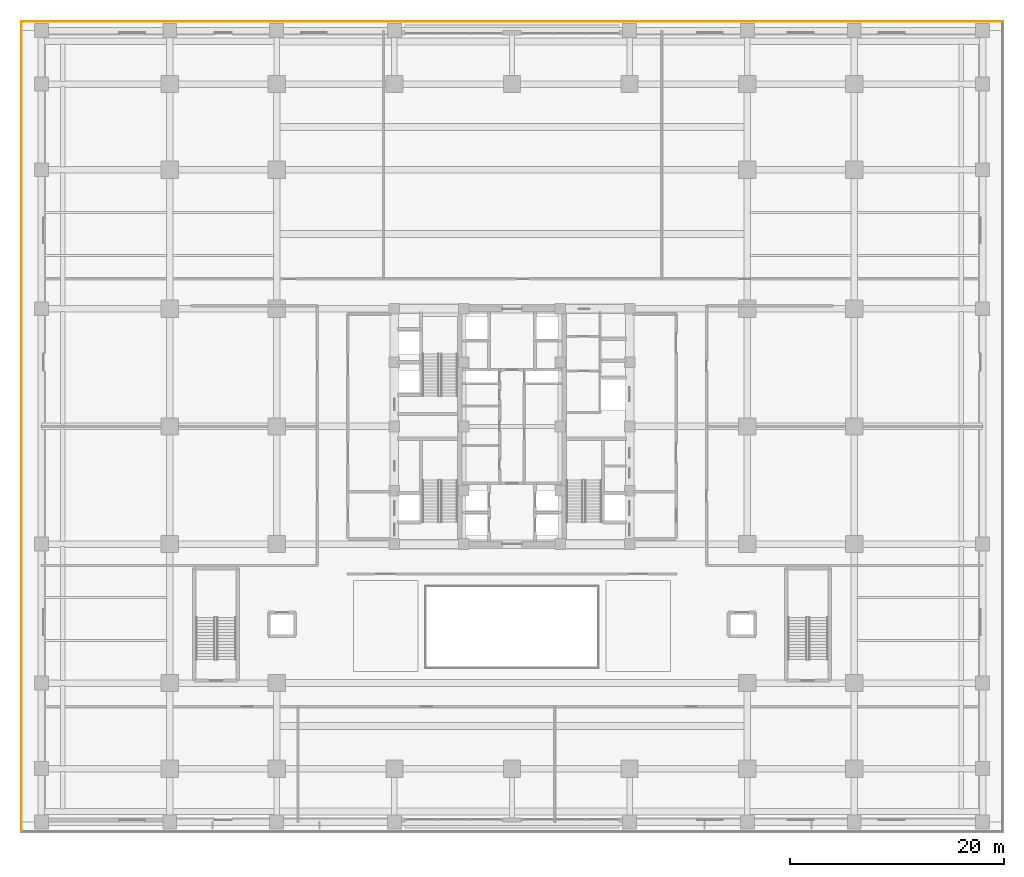
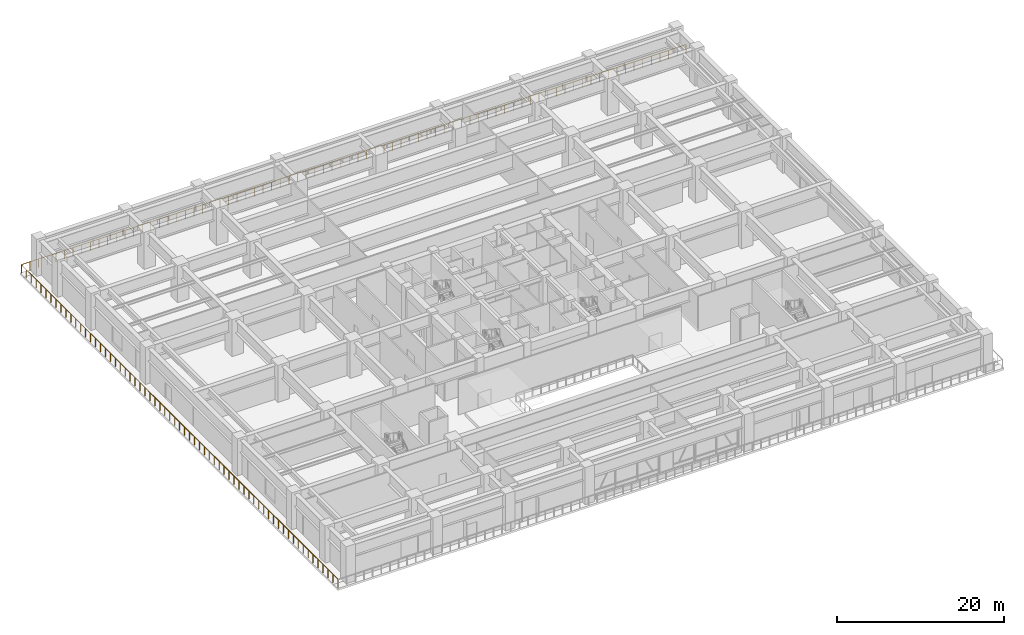
# One storey, part 25 of 28: 1 railing.
"""IFC4 building model written with IfcOpenShell, lengths in metres."""

from ifc_helpers import new_model, si_unit, direction, frame, origin, origin_2d, place, context, subcontext, project, spatial, circle, extrude, source, transform, mapped, material, type_object, element, save


model = new_model("IFC4")

# Units and contexts
model_context = context("Model", 3, precision=1e-05, world=origin(), true_north=direction((0.0, 1.0)))
body_context = subcontext(model_context, "Body", "Model", "MODEL_VIEW")
ifc_project = project(units=[si_unit("LENGTHUNIT", "METRE"), si_unit("AREAUNIT", "SQUARE_METRE"), si_unit("VOLUMEUNIT", "CUBIC_METRE"), si_unit("PLANEANGLEUNIT", "RADIAN"), si_unit("MASSUNIT", "GRAM", prefix="KILO")], contexts=[model_context])

# Site, building, storey
site_placement = place(None, origin())
site = spatial("IfcSite", under=ifc_project, at=site_placement, CompositionType="ELEMENT")
building_placement = place(site_placement, origin())
building = spatial("IfcBuilding", under=site, at=building_placement, Name="Khorayat Bourse Tower", CompositionType="ELEMENT")
storey_placement = place(building_placement, frame((0.0, 0.0, 6.60009765625)))
storey = spatial("IfcBuildingStorey", under=building, at=storey_placement, Name="L01", CompositionType="ELEMENT", Elevation=6.60009765625)

# Railing
ifc_material = material(Name="Laminated glass and bronze balustrade", Category="glass")
railing_type = type_object("IfcRailingType", Name="RLG-TERR-1250", PredefinedType="GUARDRAIL", material=ifc_material)
shared_shape = source(origin(), body_context, "Body", "SweptSolid", [
    extrude(circle(Radius=0.02392578125, at=origin_2d()), frame((0.0, 0.0, 1.22607421875), z_axis=(-1.0, 0.0, 0.0), x_axis=(0.0, -1.0, 0.0)), (0.0, 0.0, 1.0), 91.759765625),
    extrude(circle(Radius=0.02392578125, at=origin_2d()), frame((-91.759765625, 0.0, 1.22607421875), z_axis=(0.0, -1.0, 0.0), x_axis=(1.0, 0.0, 0.0)), (0.0, 0.0, 1.0), 75.699951171875),
    extrude(circle(Radius=0.02099609375, at=origin_2d()), origin(), (0.0, 0.0, 1.0), 1.201904296875),
    extrude(circle(Radius=0.02099609375, at=origin_2d()), frame((-1.191650390625, 0.0, 0.0)), (0.0, 0.0, 1.0), 1.201904296875),
    extrude(circle(Radius=0.02099609375, at=origin_2d()), frame((-2.38330078125, 0.0, 0.0)), (0.0, 0.0, 1.0), 1.201904296875),
    extrude(circle(Radius=0.02099609375, at=origin_2d()), frame((-3.574951171875, 0.0, 0.0)), (0.0, 0.0, 1.0), 1.201904296875),
    extrude(circle(Radius=0.02099609375, at=origin_2d()), frame((-4.766845703125, 0.0, 0.0)), (0.0, 0.0, 1.0), 1.201904296875),
    extrude(circle(Radius=0.02099609375, at=origin_2d()), frame((-5.95849609375, 0.0, 0.0)), (0.0, 0.0, 1.0), 1.201904296875),
    extrude(circle(Radius=0.02099609375, at=origin_2d()), frame((-7.150146484375, 0.0, 0.0)), (0.0, 0.0, 1.0), 1.201904296875),
    extrude(circle(Radius=0.02099609375, at=origin_2d()), frame((-8.341796875, 0.0, 0.0)), (0.0, 0.0, 1.0), 1.201904296875),
    extrude(circle(Radius=0.02099609375, at=origin_2d()), frame((-9.533447265625, 0.0, 0.0)), (0.0, 0.0, 1.0), 1.201904296875),
    extrude(circle(Radius=0.02099609375, at=origin_2d()), frame((-10.72509765625, 0.0, 0.0)), (0.0, 0.0, 1.0), 1.201904296875),
    extrude(circle(Radius=0.02099609375, at=origin_2d()), frame((-11.916748046875, 0.0, 0.0)), (0.0, 0.0, 1.0), 1.201904296875),
    extrude(circle(Radius=0.02099609375, at=origin_2d()), frame((-13.108642578125, 0.0, 0.0)), (0.0, 0.0, 1.0), 1.201904296875),
    extrude(circle(Radius=0.02099609375, at=origin_2d()), frame((-14.30029296875, 0.0, 0.0)), (0.0, 0.0, 1.0), 1.201904296875),
    extrude(circle(Radius=0.02099609375, at=origin_2d()), frame((-15.491943359375, 0.0, 0.0)), (0.0, 0.0, 1.0), 1.201904296875),
    extrude(circle(Radius=0.02099609375, at=origin_2d()), frame((-16.68359375, 0.0, 0.0)), (0.0, 0.0, 1.0), 1.201904296875),
    extrude(circle(Radius=0.02099609375, at=origin_2d()), frame((-17.875244140625, 0.0, 0.0)), (0.0, 0.0, 1.0), 1.201904296875),
    extrude(circle(Radius=0.02099609375, at=origin_2d()), frame((-19.06689453125, 0.0, 0.0)), (0.0, 0.0, 1.0), 1.201904296875),
    extrude(circle(Radius=0.02099609375, at=origin_2d()), frame((-20.258544921875, 0.0, 0.0)), (0.0, 0.0, 1.0), 1.201904296875),
    extrude(circle(Radius=0.02099609375, at=origin_2d()), frame((-21.450439453125, 0.0, 0.0)), (0.0, 0.0, 1.0), 1.201904296875),
    extrude(circle(Radius=0.02099609375, at=origin_2d()), frame((-22.64208984375, 0.0, 0.0)), (0.0, 0.0, 1.0), 1.201904296875),
    extrude(circle(Radius=0.02099609375, at=origin_2d()), frame((-23.833740234375, 0.0, 0.0)), (0.0, 0.0, 1.0), 1.201904296875),
    extrude(circle(Radius=0.02099609375, at=origin_2d()), frame((-25.025390625, 0.0, 0.0)), (0.0, 0.0, 1.0), 1.201904296875),
    extrude(circle(Radius=0.02099609375, at=origin_2d()), frame((-26.217041015625, 0.0, 0.0)), (0.0, 0.0, 1.0), 1.201904296875),
    extrude(circle(Radius=0.02099609375, at=origin_2d()), frame((-27.40869140625, 0.0, 0.0)), (0.0, 0.0, 1.0), 1.201904296875),
    extrude(circle(Radius=0.02099609375, at=origin_2d()), frame((-28.600341796875, 0.0, 0.0)), (0.0, 0.0, 1.0), 1.201904296875),
    extrude(circle(Radius=0.02099609375, at=origin_2d()), frame((-29.792236328125, 0.0, 0.0)), (0.0, 0.0, 1.0), 1.201904296875),
    extrude(circle(Radius=0.02099609375, at=origin_2d()), frame((-30.98388671875, 0.0, 0.0)), (0.0, 0.0, 1.0), 1.201904296875),
    extrude(circle(Radius=0.02099609375, at=origin_2d()), frame((-32.175537109375, 0.0, 0.0)), (0.0, 0.0, 1.0), 1.201904296875),
    extrude(circle(Radius=0.02099609375, at=origin_2d()), frame((-33.3671875, 0.0, 0.0)), (0.0, 0.0, 1.0), 1.201904296875),
    extrude(circle(Radius=0.02099609375, at=origin_2d()), frame((-34.558837890625, 0.0, 0.0)), (0.0, 0.0, 1.0), 1.201904296875),
    extrude(circle(Radius=0.02099609375, at=origin_2d()), frame((-35.75048828125, 0.0, 0.0)), (0.0, 0.0, 1.0), 1.201904296875),
    extrude(circle(Radius=0.02099609375, at=origin_2d()), frame((-36.942138671875, 0.0, 0.0)), (0.0, 0.0, 1.0), 1.201904296875),
    extrude(circle(Radius=0.02099609375, at=origin_2d()), frame((-38.134033203125, 0.0, 0.0)), (0.0, 0.0, 1.0), 1.201904296875),
    extrude(circle(Radius=0.02099609375, at=origin_2d()), frame((-39.32568359375, 0.0, 0.0)), (0.0, 0.0, 1.0), 1.201904296875),
    extrude(circle(Radius=0.02099609375, at=origin_2d()), frame((-40.517333984375, 0.0, 0.0)), (0.0, 0.0, 1.0), 1.201904296875),
    extrude(circle(Radius=0.02099609375, at=origin_2d()), frame((-41.708984375, 0.0, 0.0)), (0.0, 0.0, 1.0), 1.201904296875),
    extrude(circle(Radius=0.02099609375, at=origin_2d()), frame((-42.900634765625, 0.0, 0.0)), (0.0, 0.0, 1.0), 1.201904296875),
    extrude(circle(Radius=0.02099609375, at=origin_2d()), frame((-44.09228515625, 0.0, 0.0)), (0.0, 0.0, 1.0), 1.201904296875),
    extrude(circle(Radius=0.02099609375, at=origin_2d()), frame((-45.283935546875, 0.0, 0.0)), (0.0, 0.0, 1.0), 1.201904296875),
    extrude(circle(Radius=0.02099609375, at=origin_2d()), frame((-46.475830078125, 0.0, 0.0)), (0.0, 0.0, 1.0), 1.201904296875),
    extrude(circle(Radius=0.02099609375, at=origin_2d()), frame((-47.66748046875, 0.0, 0.0)), (0.0, 0.0, 1.0), 1.201904296875),
    extrude(circle(Radius=0.02099609375, at=origin_2d()), frame((-48.859130859375, 0.0, 0.0)), (0.0, 0.0, 1.0), 1.201904296875),
    extrude(circle(Radius=0.02099609375, at=origin_2d()), frame((-50.05078125, 0.0, 0.0)), (0.0, 0.0, 1.0), 1.201904296875),
    extrude(circle(Radius=0.02099609375, at=origin_2d()), frame((-51.242431640625, 0.0, 0.0)), (0.0, 0.0, 1.0), 1.201904296875),
    extrude(circle(Radius=0.02099609375, at=origin_2d()), frame((-52.43408203125, 0.0, 0.0)), (0.0, 0.0, 1.0), 1.201904296875),
    extrude(circle(Radius=0.02099609375, at=origin_2d()), frame((-53.625732421875, 0.0, 0.0)), (0.0, 0.0, 1.0), 1.201904296875),
    extrude(circle(Radius=0.02099609375, at=origin_2d()), frame((-54.817626953125, 0.0, 0.0)), (0.0, 0.0, 1.0), 1.201904296875),
    extrude(circle(Radius=0.02099609375, at=origin_2d()), frame((-56.00927734375, 0.0, 0.0)), (0.0, 0.0, 1.0), 1.201904296875),
    extrude(circle(Radius=0.02099609375, at=origin_2d()), frame((-57.200927734375, 0.0, 0.0)), (0.0, 0.0, 1.0), 1.201904296875),
    extrude(circle(Radius=0.02099609375, at=origin_2d()), frame((-58.392578125, 0.0, 0.0)), (0.0, 0.0, 1.0), 1.201904296875),
    extrude(circle(Radius=0.02099609375, at=origin_2d()), frame((-59.584228515625, 0.0, 0.0)), (0.0, 0.0, 1.0), 1.201904296875),
    extrude(circle(Radius=0.02099609375, at=origin_2d()), frame((-60.77587890625, 0.0, 0.0)), (0.0, 0.0, 1.0), 1.201904296875),
    extrude(circle(Radius=0.02099609375, at=origin_2d()), frame((-61.967529296875, 0.0, 0.0)), (0.0, 0.0, 1.0), 1.201904296875),
    extrude(circle(Radius=0.02099609375, at=origin_2d()), frame((-63.159423828125, 0.0, 0.0)), (0.0, 0.0, 1.0), 1.201904296875),
    extrude(circle(Radius=0.02099609375, at=origin_2d()), frame((-64.35107421875, 0.0, 0.0)), (0.0, 0.0, 1.0), 1.201904296875),
    extrude(circle(Radius=0.02099609375, at=origin_2d()), frame((-65.542724609375, 0.0, 0.0)), (0.0, 0.0, 1.0), 1.201904296875),
    extrude(circle(Radius=0.02099609375, at=origin_2d()), frame((-66.734375, 0.0, 0.0)), (0.0, 0.0, 1.0), 1.201904296875),
    extrude(circle(Radius=0.02099609375, at=origin_2d()), frame((-67.926025390625, 0.0, 0.0)), (0.0, 0.0, 1.0), 1.201904296875),
    extrude(circle(Radius=0.02099609375, at=origin_2d()), frame((-69.11767578125, 0.0, 0.0)), (0.0, 0.0, 1.0), 1.201904296875),
    extrude(circle(Radius=0.02099609375, at=origin_2d()), frame((-70.309326171875, 0.0, 0.0)), (0.0, 0.0, 1.0), 1.201904296875),
    extrude(circle(Radius=0.02099609375, at=origin_2d()), frame((-71.501220703125, 0.0, 0.0)), (0.0, 0.0, 1.0), 1.201904296875),
    extrude(circle(Radius=0.02099609375, at=origin_2d()), frame((-72.69287109375, 0.0, 0.0)), (0.0, 0.0, 1.0), 1.201904296875),
    extrude(circle(Radius=0.02099609375, at=origin_2d()), frame((-73.884521484375, 0.0, 0.0)), (0.0, 0.0, 1.0), 1.201904296875),
    extrude(circle(Radius=0.02099609375, at=origin_2d()), frame((-75.076171875, 0.0, 0.0)), (0.0, 0.0, 1.0), 1.201904296875),
    extrude(circle(Radius=0.02099609375, at=origin_2d()), frame((-76.267822265625, 0.0, 0.0)), (0.0, 0.0, 1.0), 1.201904296875),
    extrude(circle(Radius=0.02099609375, at=origin_2d()), frame((-77.45947265625, 0.0, 0.0)), (0.0, 0.0, 1.0), 1.201904296875),
    extrude(circle(Radius=0.02099609375, at=origin_2d()), frame((-78.651123046875, 0.0, 0.0)), (0.0, 0.0, 1.0), 1.201904296875),
    extrude(circle(Radius=0.02099609375, at=origin_2d()), frame((-79.843017578125, 0.0, 0.0)), (0.0, 0.0, 1.0), 1.201904296875),
    extrude(circle(Radius=0.02099609375, at=origin_2d()), frame((-81.03466796875, 0.0, 0.0)), (0.0, 0.0, 1.0), 1.201904296875),
    extrude(circle(Radius=0.02099609375, at=origin_2d()), frame((-82.226318359375, 0.0, 0.0)), (0.0, 0.0, 1.0), 1.201904296875),
    extrude(circle(Radius=0.02099609375, at=origin_2d()), frame((-83.41796875, 0.0, 0.0)), (0.0, 0.0, 1.0), 1.201904296875),
    extrude(circle(Radius=0.02099609375, at=origin_2d()), frame((-84.609619140625, 0.0, 0.0)), (0.0, 0.0, 1.0), 1.201904296875),
    extrude(circle(Radius=0.02099609375, at=origin_2d()), frame((-85.80126953125, 0.0, 0.0)), (0.0, 0.0, 1.0), 1.201904296875),
    extrude(circle(Radius=0.02099609375, at=origin_2d()), frame((-86.992919921875, 0.0, 0.0)), (0.0, 0.0, 1.0), 1.201904296875),
    extrude(circle(Radius=0.02099609375, at=origin_2d()), frame((-88.184814453125, 0.0, 0.0)), (0.0, 0.0, 1.0), 1.201904296875),
    extrude(circle(Radius=0.02099609375, at=origin_2d()), frame((-89.37646484375, 0.0, 0.0)), (0.0, 0.0, 1.0), 1.201904296875),
    extrude(circle(Radius=0.02099609375, at=origin_2d()), frame((-90.568115234375, 0.0, 0.0)), (0.0, 0.0, 1.0), 1.201904296875),
    extrude(circle(Radius=0.02099609375, at=origin_2d()), frame((-91.759765625, 0.0, 0.0)), (0.0, 0.0, 1.0), 1.201904296875),
    extrude(circle(Radius=0.02099609375, at=origin_2d()), frame((-91.759765625, -1.182861328125, 0.0)), (0.0, 0.0, 1.0), 1.201904296875),
    extrude(circle(Radius=0.02099609375, at=origin_2d()), frame((-91.759765625, -2.36572265625, 0.0)), (0.0, 0.0, 1.0), 1.201904296875),
    extrude(circle(Radius=0.02099609375, at=origin_2d()), frame((-91.759765625, -3.54833984375, 0.0)), (0.0, 0.0, 1.0), 1.201904296875),
    extrude(circle(Radius=0.02099609375, at=origin_2d()), frame((-91.759765625, -4.731201171875, 0.0)), (0.0, 0.0, 1.0), 1.201904296875),
    extrude(circle(Radius=0.02099609375, at=origin_2d()), frame((-91.759765625, -5.9140625, 0.0)), (0.0, 0.0, 1.0), 1.201904296875),
    extrude(circle(Radius=0.02099609375, at=origin_2d()), frame((-91.759765625, -7.096923828125, 0.0)), (0.0, 0.0, 1.0), 1.201904296875),
    extrude(circle(Radius=0.02099609375, at=origin_2d()), frame((-91.759765625, -8.27978515625, 0.0)), (0.0, 0.0, 1.0), 1.201904296875),
    extrude(circle(Radius=0.02099609375, at=origin_2d()), frame((-91.759765625, -9.46240234375, 0.0)), (0.0, 0.0, 1.0), 1.201904296875),
    extrude(circle(Radius=0.02099609375, at=origin_2d()), frame((-91.759765625, -10.645263671875, 0.0)), (0.0, 0.0, 1.0), 1.201904296875),
    extrude(circle(Radius=0.02099609375, at=origin_2d()), frame((-91.759765625, -11.828125, 0.0)), (0.0, 0.0, 1.0), 1.201904296875),
    extrude(circle(Radius=0.02099609375, at=origin_2d()), frame((-91.759765625, -13.010986328125, 0.0)), (0.0, 0.0, 1.0), 1.201904296875),
    extrude(circle(Radius=0.02099609375, at=origin_2d()), frame((-91.759765625, -14.19384765625, 0.0)), (0.0, 0.0, 1.0), 1.201904296875),
    extrude(circle(Radius=0.02099609375, at=origin_2d()), frame((-91.759765625, -15.37646484375, 0.0)), (0.0, 0.0, 1.0), 1.201904296875),
    extrude(circle(Radius=0.02099609375, at=origin_2d()), frame((-91.759765625, -16.559326171875, 0.0)), (0.0, 0.0, 1.0), 1.201904296875),
    extrude(circle(Radius=0.02099609375, at=origin_2d()), frame((-91.759765625, -17.7421875, 0.0)), (0.0, 0.0, 1.0), 1.201904296875),
    extrude(circle(Radius=0.02099609375, at=origin_2d()), frame((-91.759765625, -18.925048828125, 0.0)), (0.0, 0.0, 1.0), 1.201904296875),
    extrude(circle(Radius=0.02099609375, at=origin_2d()), frame((-91.759765625, -20.10791015625, 0.0)), (0.0, 0.0, 1.0), 1.201904296875),
    extrude(circle(Radius=0.02099609375, at=origin_2d()), frame((-91.759765625, -21.29052734375, 0.0)), (0.0, 0.0, 1.0), 1.201904296875),
    extrude(circle(Radius=0.02099609375, at=origin_2d()), frame((-91.759765625, -22.473388671875, 0.0)), (0.0, 0.0, 1.0), 1.201904296875),
    extrude(circle(Radius=0.02099609375, at=origin_2d()), frame((-91.759765625, -23.65625, 0.0)), (0.0, 0.0, 1.0), 1.201904296875),
    extrude(circle(Radius=0.02099609375, at=origin_2d()), frame((-91.759765625, -24.839111328125, 0.0)), (0.0, 0.0, 1.0), 1.201904296875),
    extrude(circle(Radius=0.02099609375, at=origin_2d()), frame((-91.759765625, -26.02197265625, 0.0)), (0.0, 0.0, 1.0), 1.201904296875),
    extrude(circle(Radius=0.02099609375, at=origin_2d()), frame((-91.759765625, -27.20458984375, 0.0)), (0.0, 0.0, 1.0), 1.201904296875),
    extrude(circle(Radius=0.02099609375, at=origin_2d()), frame((-91.759765625, -28.387451171875, 0.0)), (0.0, 0.0, 1.0), 1.201904296875),
    extrude(circle(Radius=0.02099609375, at=origin_2d()), frame((-91.759765625, -29.5703125, 0.0)), (0.0, 0.0, 1.0), 1.201904296875),
    extrude(circle(Radius=0.02099609375, at=origin_2d()), frame((-91.759765625, -30.753173828125, 0.0)), (0.0, 0.0, 1.0), 1.201904296875),
    extrude(circle(Radius=0.02099609375, at=origin_2d()), frame((-91.759765625, -31.93603515625, 0.0)), (0.0, 0.0, 1.0), 1.201904296875),
    extrude(circle(Radius=0.02099609375, at=origin_2d()), frame((-91.759765625, -33.11865234375, 0.0)), (0.0, 0.0, 1.0), 1.201904296875),
    extrude(circle(Radius=0.02099609375, at=origin_2d()), frame((-91.759765625, -34.301513671875, 0.0)), (0.0, 0.0, 1.0), 1.201904296875),
    extrude(circle(Radius=0.02099609375, at=origin_2d()), frame((-91.759765625, -35.484375, 0.0)), (0.0, 0.0, 1.0), 1.201904296875),
    extrude(circle(Radius=0.02099609375, at=origin_2d()), frame((-91.759765625, -36.667236328125, 0.0)), (0.0, 0.0, 1.0), 1.201904296875),
    extrude(circle(Radius=0.02099609375, at=origin_2d()), frame((-91.759765625, -37.85009765625, 0.0)), (0.0, 0.0, 1.0), 1.201904296875),
    extrude(circle(Radius=0.02099609375, at=origin_2d()), frame((-91.759765625, -39.03271484375, 0.0)), (0.0, 0.0, 1.0), 1.201904296875),
    extrude(circle(Radius=0.02099609375, at=origin_2d()), frame((-91.759765625, -40.215576171875, 0.0)), (0.0, 0.0, 1.0), 1.201904296875),
    extrude(circle(Radius=0.02099609375, at=origin_2d()), frame((-91.759765625, -41.3984375, 0.0)), (0.0, 0.0, 1.0), 1.201904296875),
    extrude(circle(Radius=0.02099609375, at=origin_2d()), frame((-91.759765625, -42.581298828125, 0.0)), (0.0, 0.0, 1.0), 1.201904296875),
    extrude(circle(Radius=0.02099609375, at=origin_2d()), frame((-91.759765625, -43.763916015625, 0.0)), (0.0, 0.0, 1.0), 1.201904296875),
    extrude(circle(Radius=0.02099609375, at=origin_2d()), frame((-91.759765625, -44.94677734375, 0.0)), (0.0, 0.0, 1.0), 1.201904296875),
    extrude(circle(Radius=0.02099609375, at=origin_2d()), frame((-91.759765625, -46.129638671875, 0.0)), (0.0, 0.0, 1.0), 1.201904296875),
    extrude(circle(Radius=0.02099609375, at=origin_2d()), frame((-91.759765625, -47.3125, 0.0)), (0.0, 0.0, 1.0), 1.201904296875),
    extrude(circle(Radius=0.02099609375, at=origin_2d()), frame((-91.759765625, -48.495361328125, 0.0)), (0.0, 0.0, 1.0), 1.201904296875),
    extrude(circle(Radius=0.02099609375, at=origin_2d()), frame((-91.759765625, -49.677978515625, 0.0)), (0.0, 0.0, 1.0), 1.201904296875),
    extrude(circle(Radius=0.02099609375, at=origin_2d()), frame((-91.759765625, -50.86083984375, 0.0)), (0.0, 0.0, 1.0), 1.201904296875),
    extrude(circle(Radius=0.02099609375, at=origin_2d()), frame((-91.759765625, -52.043701171875, 0.0)), (0.0, 0.0, 1.0), 1.201904296875),
    extrude(circle(Radius=0.02099609375, at=origin_2d()), frame((-91.759765625, -53.2265625, 0.0)), (0.0, 0.0, 1.0), 1.201904296875),
    extrude(circle(Radius=0.02099609375, at=origin_2d()), frame((-91.759765625, -54.409423828125, 0.0)), (0.0, 0.0, 1.0), 1.201904296875),
    extrude(circle(Radius=0.02099609375, at=origin_2d()), frame((-91.759765625, -55.592041015625, 0.0)), (0.0, 0.0, 1.0), 1.201904296875),
    extrude(circle(Radius=0.02099609375, at=origin_2d()), frame((-91.759765625, -56.77490234375, 0.0)), (0.0, 0.0, 1.0), 1.201904296875),
    extrude(circle(Radius=0.02099609375, at=origin_2d()), frame((-91.759765625, -57.957763671875, 0.0)), (0.0, 0.0, 1.0), 1.201904296875),
    extrude(circle(Radius=0.02099609375, at=origin_2d()), frame((-91.759765625, -59.140625, 0.0)), (0.0, 0.0, 1.0), 1.201904296875),
    extrude(circle(Radius=0.02099609375, at=origin_2d()), frame((-91.759765625, -60.323486328125, 0.0)), (0.0, 0.0, 1.0), 1.201904296875),
    extrude(circle(Radius=0.02099609375, at=origin_2d()), frame((-91.759765625, -61.506103515625, 0.0)), (0.0, 0.0, 1.0), 1.201904296875),
    extrude(circle(Radius=0.02099609375, at=origin_2d()), frame((-91.759765625, -62.68896484375, 0.0)), (0.0, 0.0, 1.0), 1.201904296875),
    extrude(circle(Radius=0.02099609375, at=origin_2d()), frame((-91.759765625, -63.871826171875, 0.0)), (0.0, 0.0, 1.0), 1.201904296875),
    extrude(circle(Radius=0.02099609375, at=origin_2d()), frame((-91.759765625, -65.0546875, 0.0)), (0.0, 0.0, 1.0), 1.201904296875),
    extrude(circle(Radius=0.02099609375, at=origin_2d()), frame((-91.759765625, -66.237548828125, 0.0)), (0.0, 0.0, 1.0), 1.201904296875),
    extrude(circle(Radius=0.02099609375, at=origin_2d()), frame((-91.759765625, -67.420166015625, 0.0)), (0.0, 0.0, 1.0), 1.201904296875),
    extrude(circle(Radius=0.02099609375, at=origin_2d()), frame((-91.759765625, -68.60302734375, 0.0)), (0.0, 0.0, 1.0), 1.201904296875),
    extrude(circle(Radius=0.02099609375, at=origin_2d()), frame((-91.759765625, -69.785888671875, 0.0)), (0.0, 0.0, 1.0), 1.201904296875),
    extrude(circle(Radius=0.02099609375, at=origin_2d()), frame((-91.759765625, -70.96875, 0.0)), (0.0, 0.0, 1.0), 1.201904296875),
    extrude(circle(Radius=0.02099609375, at=origin_2d()), frame((-91.759765625, -72.151611328125, 0.0)), (0.0, 0.0, 1.0), 1.201904296875),
    extrude(circle(Radius=0.02099609375, at=origin_2d()), frame((-91.759765625, -73.334228515625, 0.0)), (0.0, 0.0, 1.0), 1.201904296875),
    extrude(circle(Radius=0.02099609375, at=origin_2d()), frame((-91.759765625, -74.51708984375, 0.0)), (0.0, 0.0, 1.0), 1.201904296875),
    extrude(circle(Radius=0.02099609375, at=origin_2d()), frame((-91.759765625, -75.699951171875, 0.0)), (0.0, 0.0, 1.0), 1.201904296875),
])
railing_placement = place(storey_placement, frame((45.8798828125, 37.8798828125, 0.0)))
element("IfcRailing", 1, at=railing_placement, inside=storey, type_object=railing_type, Name="L01 Cascading Terrace Perimeter Guard NW", PredefinedType="GUARDRAIL", context=body_context, shape_type="MappedRepresentation", body=[
    mapped(shared_shape, transform((0.0, 0.0, 0.0), scale=1.0)),
])

save(model, "model.ifc")
